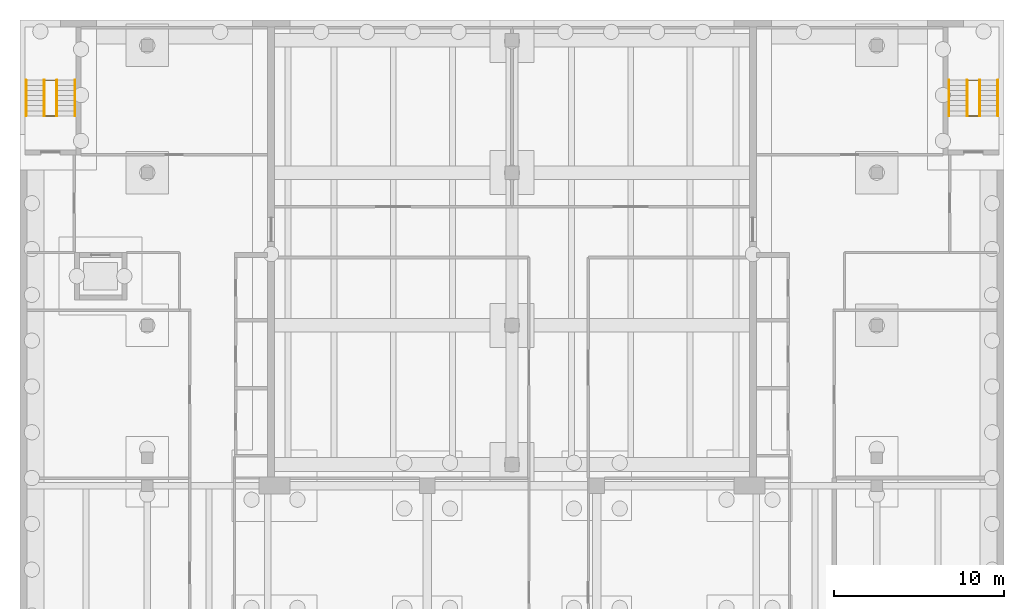
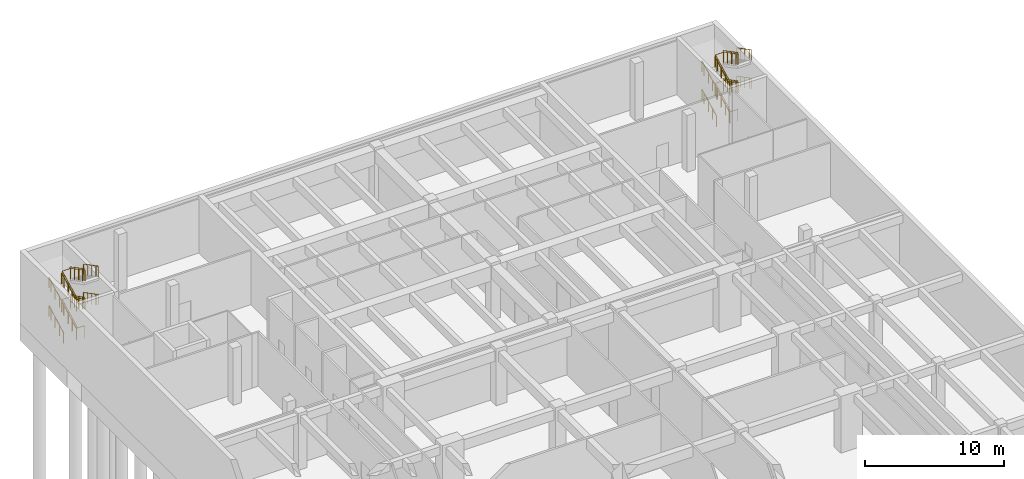
# One storey, part 18 of 19: 18 railings.
"""IFC4 building model written with IfcOpenShell, lengths in metres."""

from ifc_helpers import new_model, si_unit, direction, frame, origin, origin_2d, place, context, subcontext, project, spatial, circle, extrude, material, type_object, element, save


model = new_model("IFC4")

# Units and contexts
model_context = context("Model", 3, precision=1e-05, world=origin(), true_north=direction((0.0, 1.0)))
body_context = subcontext(model_context, "Body", "Model", "MODEL_VIEW")
ifc_project = project(units=[si_unit("LENGTHUNIT", "METRE"), si_unit("AREAUNIT", "SQUARE_METRE"), si_unit("VOLUMEUNIT", "CUBIC_METRE"), si_unit("PLANEANGLEUNIT", "RADIAN"), si_unit("MASSUNIT", "GRAM", prefix="KILO")], contexts=[model_context])

# Site, building, storey
site_placement = place(None, origin())
site = spatial("IfcSite", under=ifc_project, at=site_placement, CompositionType="ELEMENT")
building_placement = place(site_placement, origin())
building = spatial("IfcBuilding", under=site, at=building_placement, Name="Elmora Arch Market Hall", CompositionType="ELEMENT")
storey_placement = place(building_placement, frame((0.0, 0.0, -10.0)))
storey = spatial("IfcBuildingStorey", under=building, at=storey_placement, Name="B1", CompositionType="ELEMENT", Elevation=-10.0)

# Railings
ifc_material_1 = material(Name="Steel ASTM A500 Gr C", Category="steel")
railing_type_1 = type_object("IfcRailingType", Name="Stair guard 1100", PredefinedType="GUARDRAIL", material=ifc_material_1)
railing_1_placement = place(storey_placement, frame((2.1201171875, 120.35009765625, 0.0)))
element("IfcRailing", 1, at=railing_1_placement, inside=storey, type_object=railing_type_1, Name="Stair ST-W guard B1", PredefinedType="GUARDRAIL", context=body_context, shape_type="SweptSolid", body=[
    extrude(circle(Radius=0.02392578125, at=origin_2d()), frame((0.0, 0.0, 1.076171875), z_axis=(-1.0, 0.0, 0.0), x_axis=(0.0, -1.0, 0.0)), (0.0, 0.0, 1.0), 0.64013671875),
    extrude(circle(Radius=0.02392578125, at=origin_2d()), frame((-0.64013671875, 0.0, 1.076171875), z_axis=(0.0, 0.0, 1.0), x_axis=(1.0, 0.0, 0.0)), (0.0, 0.0, 1.0), 0.15625),
    extrude(circle(Radius=0.02392578125, at=origin_2d()), frame((-0.64013671875, 0.0, 1.232421875), z_axis=(0.0, 0.886867866569, 0.462023145791), x_axis=(-1.0, 0.0, 0.0)), (0.0, 0.0, 1.0), 0.67626953125),
    extrude(circle(Radius=0.02392578125, at=origin_2d()), frame((-0.64013671875, 0.599853515625, 1.544921875), z_axis=(0.0, 0.886944881109, 0.461875283897), x_axis=(-1.0, 0.0, 0.0)), (0.0, 0.0, 1.0), 0.676513671875),
    extrude(circle(Radius=0.02392578125, at=origin_2d()), frame((-0.64013671875, 1.199951171875, 1.857421875), z_axis=(0.0, 0.886867866569, 0.462023145791), x_axis=(-1.0, 0.0, 0.0)), (0.0, 0.0, 1.0), 0.67626953125),
    extrude(circle(Radius=0.02392578125, at=origin_2d()), frame((-0.64013671875, 1.7998046875, 2.169921875), z_axis=(0.0, 0.886944881109, 0.461875283897), x_axis=(-1.0, 0.0, 0.0)), (0.0, 0.0, 1.0), 0.33837890625),
    extrude(circle(Radius=0.02392578125, at=origin_2d()), frame((-0.64013671875, 2.099853515625, 2.326171875), z_axis=(1.0, 0.0, 0.0), x_axis=(0.0, 1.0, 0.0)), (0.0, 0.0, 1.0), 0.64013671875),
    extrude(circle(Radius=0.02392578125, at=origin_2d()), frame((0.0, 2.099853515625, 2.326171875), z_axis=(0.0, 0.0, 1.0), x_axis=(1.0, 0.0, 0.0)), (0.0, 0.0, 1.0), 0.15625),
    extrude(circle(Radius=0.02392578125, at=origin_2d()), frame((0.0, 2.099853515625, 2.482421875), z_axis=(0.0, -0.886867866569, 0.462023145791), x_axis=(1.0, 0.0, 0.0)), (0.0, 0.0, 1.0), 0.67626953125),
    extrude(circle(Radius=0.02392578125, at=origin_2d()), frame((0.0, 1.5, 2.794921875), z_axis=(0.0, -0.886944881109, 0.461875283897), x_axis=(1.0, 0.0, 0.0)), (0.0, 0.0, 1.0), 0.676513671875),
    extrude(circle(Radius=0.02392578125, at=origin_2d()), frame((0.0, 0.89990234375, 3.107421875), z_axis=(0.0, -0.886944881109, 0.461875283897), x_axis=(1.0, 0.0, 0.0)), (0.0, 0.0, 1.0), 0.676513671875),
    extrude(circle(Radius=0.02392578125, at=origin_2d()), frame((0.0, 0.2998046875, 3.419921875), z_axis=(0.0, -0.886790778033, 0.462171089529), x_axis=(1.0, 0.0, 0.0)), (0.0, 0.0, 1.0), 0.338134765625),
    extrude(circle(Radius=0.02392578125, at=origin_2d()), frame((0.0, 0.0, 3.576171875), z_axis=(-1.0, 0.0, 0.0), x_axis=(0.0, -1.0, 0.0)), (0.0, 0.0, 1.0), 0.64013671875),
    extrude(circle(Radius=0.02392578125, at=origin_2d()), frame((-0.64013671875, 0.0, 3.576171875), z_axis=(0.0, 0.0, 1.0), x_axis=(1.0, 0.0, 0.0)), (0.0, 0.0, 1.0), 0.15625),
    extrude(circle(Radius=0.02392578125, at=origin_2d()), frame((-0.64013671875, 0.0, 3.732421875), z_axis=(0.0, 0.886867866569, 0.462023145791), x_axis=(-1.0, 0.0, 0.0)), (0.0, 0.0, 1.0), 0.67626953125),
    extrude(circle(Radius=0.02392578125, at=origin_2d()), frame((-0.64013671875, 0.599853515625, 4.044921875), z_axis=(0.0, 0.886944881109, 0.461875283897), x_axis=(-1.0, 0.0, 0.0)), (0.0, 0.0, 1.0), 0.676513671875),
    extrude(circle(Radius=0.02392578125, at=origin_2d()), frame((-0.64013671875, 1.199951171875, 4.357421875), z_axis=(0.0, 0.886867866569, 0.462023145791), x_axis=(-1.0, 0.0, 0.0)), (0.0, 0.0, 1.0), 0.67626953125),
    extrude(circle(Radius=0.02392578125, at=origin_2d()), frame((-0.64013671875, 1.7998046875, 4.669921875), z_axis=(0.0, 0.886944881109, 0.461875283897), x_axis=(-1.0, 0.0, 0.0)), (0.0, 0.0, 1.0), 0.33837890625),
    extrude(circle(Radius=0.02392578125, at=origin_2d()), frame((-0.64013671875, 2.099853515625, 4.826171875), z_axis=(1.0, 0.0, 0.0), x_axis=(0.0, 1.0, 0.0)), (0.0, 0.0, 1.0), 0.64013671875),
    extrude(circle(Radius=0.02392578125, at=origin_2d()), frame((0.0, 2.099853515625, 4.826171875), z_axis=(0.0, 0.0, 1.0), x_axis=(1.0, 0.0, 0.0)), (0.0, 0.0, 1.0), 0.15625),
    extrude(circle(Radius=0.02392578125, at=origin_2d()), frame((0.0, 2.099853515625, 4.982421875), z_axis=(0.0, -0.886867866569, 0.462023145791), x_axis=(1.0, 0.0, 0.0)), (0.0, 0.0, 1.0), 0.67626953125),
    extrude(circle(Radius=0.02392578125, at=origin_2d()), frame((0.0, 1.5, 5.294921875), z_axis=(0.0, -0.886944881109, 0.461875283897), x_axis=(1.0, 0.0, 0.0)), (0.0, 0.0, 1.0), 0.676513671875),
    extrude(circle(Radius=0.02392578125, at=origin_2d()), frame((0.0, 0.89990234375, 5.607421875), z_axis=(0.0, -0.886944881109, 0.461875283897), x_axis=(1.0, 0.0, 0.0)), (0.0, 0.0, 1.0), 0.676513671875),
    extrude(circle(Radius=0.02392578125, at=origin_2d()), frame((0.0, 0.2998046875, 5.919921875), z_axis=(0.0, -0.886790778033, 0.462171089529), x_axis=(1.0, 0.0, 0.0)), (0.0, 0.0, 1.0), 0.338134765625),
    extrude(circle(Radius=0.02099609375, at=origin_2d()), origin(), (0.0, 0.0, 1.0), 1.052001953125),
    extrude(circle(Radius=0.02099609375, at=origin_2d()), frame((-0.64013671875, 0.0, 0.0)), (0.0, 0.0, 1.0), 1.052001953125),
    extrude(circle(Radius=0.02099609375, at=origin_2d()), frame((-0.64013671875, 0.0, 0.15625)), (0.0, 0.0, 1.0), 1.052001953125),
    extrude(circle(Radius=0.02099609375, at=origin_2d()), frame((-0.64013671875, 0.599853515625, 0.46875)), (0.0, 0.0, 1.0), 1.052001953125),
    extrude(circle(Radius=0.02099609375, at=origin_2d()), frame((-0.64013671875, 1.199951171875, 0.78125)), (0.0, 0.0, 1.0), 1.052001953125),
    extrude(circle(Radius=0.02099609375, at=origin_2d()), frame((-0.64013671875, 1.7998046875, 1.09375)), (0.0, 0.0, 1.0), 1.052001953125),
    extrude(circle(Radius=0.02099609375, at=origin_2d()), frame((-0.64013671875, 2.099853515625, 1.25)), (0.0, 0.0, 1.0), 1.052001953125),
    extrude(circle(Radius=0.02099609375, at=origin_2d()), frame((0.0, 2.099853515625, 1.25)), (0.0, 0.0, 1.0), 1.052001953125),
    extrude(circle(Radius=0.02099609375, at=origin_2d()), frame((0.0, 2.099853515625, 1.40625)), (0.0, 0.0, 1.0), 1.052001953125),
    extrude(circle(Radius=0.02099609375, at=origin_2d()), frame((0.0, 1.5, 1.71875)), (0.0, 0.0, 1.0), 1.052001953125),
    extrude(circle(Radius=0.02099609375, at=origin_2d()), frame((0.0, 0.89990234375, 2.03125)), (0.0, 0.0, 1.0), 1.052001953125),
    extrude(circle(Radius=0.02099609375, at=origin_2d()), frame((0.0, 0.2998046875, 2.34375)), (0.0, 0.0, 1.0), 1.052001953125),
    extrude(circle(Radius=0.02099609375, at=origin_2d()), frame((0.0, 0.0, 2.5)), (0.0, 0.0, 1.0), 1.052001953125),
    extrude(circle(Radius=0.02099609375, at=origin_2d()), frame((-0.64013671875, 0.0, 2.5)), (0.0, 0.0, 1.0), 1.052001953125),
    extrude(circle(Radius=0.02099609375, at=origin_2d()), frame((-0.64013671875, 0.0, 2.65625)), (0.0, 0.0, 1.0), 1.052001953125),
    extrude(circle(Radius=0.02099609375, at=origin_2d()), frame((-0.64013671875, 0.599853515625, 2.96875)), (0.0, 0.0, 1.0), 1.052001953125),
    extrude(circle(Radius=0.02099609375, at=origin_2d()), frame((-0.64013671875, 1.199951171875, 3.28125)), (0.0, 0.0, 1.0), 1.052001953125),
    extrude(circle(Radius=0.02099609375, at=origin_2d()), frame((-0.64013671875, 1.7998046875, 3.59375)), (0.0, 0.0, 1.0), 1.052001953125),
    extrude(circle(Radius=0.02099609375, at=origin_2d()), frame((-0.64013671875, 2.099853515625, 3.75)), (0.0, 0.0, 1.0), 1.052001953125),
    extrude(circle(Radius=0.02099609375, at=origin_2d()), frame((0.0, 2.099853515625, 3.75)), (0.0, 0.0, 1.0), 1.052001953125),
    extrude(circle(Radius=0.02099609375, at=origin_2d()), frame((0.0, 2.099853515625, 3.90625)), (0.0, 0.0, 1.0), 1.052001953125),
    extrude(circle(Radius=0.02099609375, at=origin_2d()), frame((0.0, 1.5, 4.21875)), (0.0, 0.0, 1.0), 1.052001953125),
    extrude(circle(Radius=0.02099609375, at=origin_2d()), frame((0.0, 0.89990234375, 4.53125)), (0.0, 0.0, 1.0), 1.052001953125),
    extrude(circle(Radius=0.02099609375, at=origin_2d()), frame((0.0, 0.2998046875, 4.84375)), (0.0, 0.0, 1.0), 1.052001953125),
    extrude(circle(Radius=0.02099609375, at=origin_2d()), frame((0.0, 0.0, 5.0)), (0.0, 0.0, 1.0), 1.052001953125),
])
railing_2_placement = place(storey_placement, frame((56.52001953125, 120.35009765625, 0.0)))
element("IfcRailing", 2, at=railing_2_placement, inside=storey, type_object=railing_type_1, Name="Stair ST-E guard B1", PredefinedType="GUARDRAIL", context=body_context, shape_type="SweptSolid", body=[
    extrude(circle(Radius=0.02392578125, at=origin_2d()), frame((0.0, 0.0, 1.076171875), z_axis=(-1.0, 0.0, 0.0), x_axis=(0.0, -1.0, 0.0)), (0.0, 0.0, 1.0), 0.64013671875),
    extrude(circle(Radius=0.02392578125, at=origin_2d()), frame((-0.64013671875, 0.0, 1.076171875), z_axis=(0.0, 0.0, 1.0), x_axis=(1.0, 0.0, 0.0)), (0.0, 0.0, 1.0), 0.15625),
    extrude(circle(Radius=0.02392578125, at=origin_2d()), frame((-0.64013671875, 0.0, 1.232421875), z_axis=(0.0, 0.886867866569, 0.462023145791), x_axis=(-1.0, 0.0, 0.0)), (0.0, 0.0, 1.0), 0.67626953125),
    extrude(circle(Radius=0.02392578125, at=origin_2d()), frame((-0.64013671875, 0.599853515625, 1.544921875), z_axis=(0.0, 0.886944881109, 0.461875283897), x_axis=(-1.0, 0.0, 0.0)), (0.0, 0.0, 1.0), 0.676513671875),
    extrude(circle(Radius=0.02392578125, at=origin_2d()), frame((-0.64013671875, 1.199951171875, 1.857421875), z_axis=(0.0, 0.886867866569, 0.462023145791), x_axis=(-1.0, 0.0, 0.0)), (0.0, 0.0, 1.0), 0.67626953125),
    extrude(circle(Radius=0.02392578125, at=origin_2d()), frame((-0.64013671875, 1.7998046875, 2.169921875), z_axis=(0.0, 0.886944881109, 0.461875283897), x_axis=(-1.0, 0.0, 0.0)), (0.0, 0.0, 1.0), 0.33837890625),
    extrude(circle(Radius=0.02392578125, at=origin_2d()), frame((-0.64013671875, 2.099853515625, 2.326171875), z_axis=(1.0, 0.0, 0.0), x_axis=(0.0, 1.0, 0.0)), (0.0, 0.0, 1.0), 0.64013671875),
    extrude(circle(Radius=0.02392578125, at=origin_2d()), frame((0.0, 2.099853515625, 2.326171875), z_axis=(0.0, 0.0, 1.0), x_axis=(1.0, 0.0, 0.0)), (0.0, 0.0, 1.0), 0.15625),
    extrude(circle(Radius=0.02392578125, at=origin_2d()), frame((0.0, 2.099853515625, 2.482421875), z_axis=(0.0, -0.886867866569, 0.462023145791), x_axis=(1.0, 0.0, 0.0)), (0.0, 0.0, 1.0), 0.67626953125),
    extrude(circle(Radius=0.02392578125, at=origin_2d()), frame((0.0, 1.5, 2.794921875), z_axis=(0.0, -0.886944881109, 0.461875283897), x_axis=(1.0, 0.0, 0.0)), (0.0, 0.0, 1.0), 0.676513671875),
    extrude(circle(Radius=0.02392578125, at=origin_2d()), frame((0.0, 0.89990234375, 3.107421875), z_axis=(0.0, -0.886944881109, 0.461875283897), x_axis=(1.0, 0.0, 0.0)), (0.0, 0.0, 1.0), 0.676513671875),
    extrude(circle(Radius=0.02392578125, at=origin_2d()), frame((0.0, 0.2998046875, 3.419921875), z_axis=(0.0, -0.886790778033, 0.462171089529), x_axis=(1.0, 0.0, 0.0)), (0.0, 0.0, 1.0), 0.338134765625),
    extrude(circle(Radius=0.02392578125, at=origin_2d()), frame((0.0, 0.0, 3.576171875), z_axis=(-1.0, 0.0, 0.0), x_axis=(0.0, -1.0, 0.0)), (0.0, 0.0, 1.0), 0.64013671875),
    extrude(circle(Radius=0.02392578125, at=origin_2d()), frame((-0.64013671875, 0.0, 3.576171875), z_axis=(0.0, 0.0, 1.0), x_axis=(1.0, 0.0, 0.0)), (0.0, 0.0, 1.0), 0.15625),
    extrude(circle(Radius=0.02392578125, at=origin_2d()), frame((-0.64013671875, 0.0, 3.732421875), z_axis=(0.0, 0.886867866569, 0.462023145791), x_axis=(-1.0, 0.0, 0.0)), (0.0, 0.0, 1.0), 0.67626953125),
    extrude(circle(Radius=0.02392578125, at=origin_2d()), frame((-0.64013671875, 0.599853515625, 4.044921875), z_axis=(0.0, 0.886944881109, 0.461875283897), x_axis=(-1.0, 0.0, 0.0)), (0.0, 0.0, 1.0), 0.676513671875),
    extrude(circle(Radius=0.02392578125, at=origin_2d()), frame((-0.64013671875, 1.199951171875, 4.357421875), z_axis=(0.0, 0.886867866569, 0.462023145791), x_axis=(-1.0, 0.0, 0.0)), (0.0, 0.0, 1.0), 0.67626953125),
    extrude(circle(Radius=0.02392578125, at=origin_2d()), frame((-0.64013671875, 1.7998046875, 4.669921875), z_axis=(0.0, 0.886944881109, 0.461875283897), x_axis=(-1.0, 0.0, 0.0)), (0.0, 0.0, 1.0), 0.33837890625),
    extrude(circle(Radius=0.02392578125, at=origin_2d()), frame((-0.64013671875, 2.099853515625, 4.826171875), z_axis=(1.0, 0.0, 0.0), x_axis=(0.0, 1.0, 0.0)), (0.0, 0.0, 1.0), 0.64013671875),
    extrude(circle(Radius=0.02392578125, at=origin_2d()), frame((0.0, 2.099853515625, 4.826171875), z_axis=(0.0, 0.0, 1.0), x_axis=(1.0, 0.0, 0.0)), (0.0, 0.0, 1.0), 0.15625),
    extrude(circle(Radius=0.02392578125, at=origin_2d()), frame((0.0, 2.099853515625, 4.982421875), z_axis=(0.0, -0.886867866569, 0.462023145791), x_axis=(1.0, 0.0, 0.0)), (0.0, 0.0, 1.0), 0.67626953125),
    extrude(circle(Radius=0.02392578125, at=origin_2d()), frame((0.0, 1.5, 5.294921875), z_axis=(0.0, -0.886944881109, 0.461875283897), x_axis=(1.0, 0.0, 0.0)), (0.0, 0.0, 1.0), 0.676513671875),
    extrude(circle(Radius=0.02392578125, at=origin_2d()), frame((0.0, 0.89990234375, 5.607421875), z_axis=(0.0, -0.886944881109, 0.461875283897), x_axis=(1.0, 0.0, 0.0)), (0.0, 0.0, 1.0), 0.676513671875),
    extrude(circle(Radius=0.02392578125, at=origin_2d()), frame((0.0, 0.2998046875, 5.919921875), z_axis=(0.0, -0.886790778033, 0.462171089529), x_axis=(1.0, 0.0, 0.0)), (0.0, 0.0, 1.0), 0.338134765625),
    extrude(circle(Radius=0.02099609375, at=origin_2d()), origin(), (0.0, 0.0, 1.0), 1.052001953125),
    extrude(circle(Radius=0.02099609375, at=origin_2d()), frame((-0.64013671875, 0.0, 0.0)), (0.0, 0.0, 1.0), 1.052001953125),
    extrude(circle(Radius=0.02099609375, at=origin_2d()), frame((-0.64013671875, 0.0, 0.15625)), (0.0, 0.0, 1.0), 1.052001953125),
    extrude(circle(Radius=0.02099609375, at=origin_2d()), frame((-0.64013671875, 0.599853515625, 0.46875)), (0.0, 0.0, 1.0), 1.052001953125),
    extrude(circle(Radius=0.02099609375, at=origin_2d()), frame((-0.64013671875, 1.199951171875, 0.78125)), (0.0, 0.0, 1.0), 1.052001953125),
    extrude(circle(Radius=0.02099609375, at=origin_2d()), frame((-0.64013671875, 1.7998046875, 1.09375)), (0.0, 0.0, 1.0), 1.052001953125),
    extrude(circle(Radius=0.02099609375, at=origin_2d()), frame((-0.64013671875, 2.099853515625, 1.25)), (0.0, 0.0, 1.0), 1.052001953125),
    extrude(circle(Radius=0.02099609375, at=origin_2d()), frame((0.0, 2.099853515625, 1.25)), (0.0, 0.0, 1.0), 1.052001953125),
    extrude(circle(Radius=0.02099609375, at=origin_2d()), frame((0.0, 2.099853515625, 1.40625)), (0.0, 0.0, 1.0), 1.052001953125),
    extrude(circle(Radius=0.02099609375, at=origin_2d()), frame((0.0, 1.5, 1.71875)), (0.0, 0.0, 1.0), 1.052001953125),
    extrude(circle(Radius=0.02099609375, at=origin_2d()), frame((0.0, 0.89990234375, 2.03125)), (0.0, 0.0, 1.0), 1.052001953125),
    extrude(circle(Radius=0.02099609375, at=origin_2d()), frame((0.0, 0.2998046875, 2.34375)), (0.0, 0.0, 1.0), 1.052001953125),
    extrude(circle(Radius=0.02099609375, at=origin_2d()), frame((0.0, 0.0, 2.5)), (0.0, 0.0, 1.0), 1.052001953125),
    extrude(circle(Radius=0.02099609375, at=origin_2d()), frame((-0.64013671875, 0.0, 2.5)), (0.0, 0.0, 1.0), 1.052001953125),
    extrude(circle(Radius=0.02099609375, at=origin_2d()), frame((-0.64013671875, 0.0, 2.65625)), (0.0, 0.0, 1.0), 1.052001953125),
    extrude(circle(Radius=0.02099609375, at=origin_2d()), frame((-0.64013671875, 0.599853515625, 2.96875)), (0.0, 0.0, 1.0), 1.052001953125),
    extrude(circle(Radius=0.02099609375, at=origin_2d()), frame((-0.64013671875, 1.199951171875, 3.28125)), (0.0, 0.0, 1.0), 1.052001953125),
    extrude(circle(Radius=0.02099609375, at=origin_2d()), frame((-0.64013671875, 1.7998046875, 3.59375)), (0.0, 0.0, 1.0), 1.052001953125),
    extrude(circle(Radius=0.02099609375, at=origin_2d()), frame((-0.64013671875, 2.099853515625, 3.75)), (0.0, 0.0, 1.0), 1.052001953125),
    extrude(circle(Radius=0.02099609375, at=origin_2d()), frame((0.0, 2.099853515625, 3.75)), (0.0, 0.0, 1.0), 1.052001953125),
    extrude(circle(Radius=0.02099609375, at=origin_2d()), frame((0.0, 2.099853515625, 3.90625)), (0.0, 0.0, 1.0), 1.052001953125),
    extrude(circle(Radius=0.02099609375, at=origin_2d()), frame((0.0, 1.5, 4.21875)), (0.0, 0.0, 1.0), 1.052001953125),
    extrude(circle(Radius=0.02099609375, at=origin_2d()), frame((0.0, 0.89990234375, 4.53125)), (0.0, 0.0, 1.0), 1.052001953125),
    extrude(circle(Radius=0.02099609375, at=origin_2d()), frame((0.0, 0.2998046875, 4.84375)), (0.0, 0.0, 1.0), 1.052001953125),
    extrude(circle(Radius=0.02099609375, at=origin_2d()), frame((0.0, 0.0, 5.0)), (0.0, 0.0, 1.0), 1.052001953125),
])
ifc_material_2 = material(Name="Stainless steel ASTM A554 Grade 304", Category="steel")
railing_type_2 = type_object("IfcRailingType", Name="Stair handrail 950", PredefinedType="HANDRAIL", material=ifc_material_2)
for number, where, name in (
    (3, (0.360107421875, 120.35009765625, 0.15625), "Stair ST-W B1 flight 1 handrail"),
    (4, (1.429931640625, 120.35009765625, 0.15625), "Stair ST-W B1 flight 1 handrail"),
):
    element("IfcRailing", number, at=place(storey_placement, frame(where)), inside=storey, type_object=railing_type_2, Name=name, PredefinedType="HANDRAIL", context=body_context, shape_type="SweptSolid", body=[
        extrude(circle(Radius=0.02392578125, at=origin_2d()), frame((0.0, 0.0, 0.92578125), z_axis=(0.0, 0.886867866569, 0.462023145791), x_axis=(-1.0, 0.0, 0.0)), (0.0, 0.0, 1.0), 0.67626953125),
        extrude(circle(Radius=0.02392578125, at=origin_2d()), frame((0.0, 0.599853515625, 1.23828125), z_axis=(0.0, 0.886944881109, 0.461875283897), x_axis=(-1.0, 0.0, 0.0)), (0.0, 0.0, 1.0), 0.676513671875),
        extrude(circle(Radius=0.02392578125, at=origin_2d()), frame((0.0, 1.199951171875, 1.55078125), z_axis=(0.0, 0.886867866569, 0.462023145791), x_axis=(-1.0, 0.0, 0.0)), (0.0, 0.0, 1.0), 0.67626953125),
        extrude(circle(Radius=0.02392578125, at=origin_2d()), frame((0.0, 1.7998046875, 1.86328125), z_axis=(0.0, 0.886944881109, 0.461875283897), x_axis=(-1.0, 0.0, 0.0)), (0.0, 0.0, 1.0), 0.33837890625),
        extrude(circle(Radius=0.02099609375, at=origin_2d()), origin(), (0.0, 0.0, 1.0), 0.90185546875),
        extrude(circle(Radius=0.02099609375, at=origin_2d()), frame((0.0, 0.599853515625, 0.3125)), (0.0, 0.0, 1.0), 0.90185546875),
        extrude(circle(Radius=0.02099609375, at=origin_2d()), frame((0.0, 1.199951171875, 0.625)), (0.0, 0.0, 1.0), 0.90185546875),
        extrude(circle(Radius=0.02099609375, at=origin_2d()), frame((0.0, 1.7998046875, 0.9375)), (0.0, 0.0, 1.0), 0.90185546875),
        extrude(circle(Radius=0.02099609375, at=origin_2d()), frame((0.0, 2.099853515625, 1.09375)), (0.0, 0.0, 1.0), 0.90185546875),
    ])
for number, where, name in (
    (5, (3.239990234375, 122.449951171875, 1.40625), "Stair ST-W B1 flight 2 handrail"),
    (6, (2.169921875, 122.449951171875, 1.40625), "Stair ST-W B1 flight 2 handrail"),
):
    element("IfcRailing", number, at=place(storey_placement, frame(where)), inside=storey, type_object=railing_type_2, Name=name, PredefinedType="HANDRAIL", context=body_context, shape_type="SweptSolid", body=[
        extrude(circle(Radius=0.02392578125, at=origin_2d()), frame((0.0, 0.0, 0.92578125), z_axis=(0.0, -0.886867866569, 0.462023145791), x_axis=(1.0, 0.0, 0.0)), (0.0, 0.0, 1.0), 0.67626953125),
        extrude(circle(Radius=0.02392578125, at=origin_2d()), frame((0.0, -0.599853515625, 1.23828125), z_axis=(0.0, -0.886944881109, 0.461875283897), x_axis=(1.0, 0.0, 0.0)), (0.0, 0.0, 1.0), 0.676513671875),
        extrude(circle(Radius=0.02392578125, at=origin_2d()), frame((0.0, -1.199951171875, 1.55078125), z_axis=(0.0, -0.886944881109, 0.461875283897), x_axis=(1.0, 0.0, 0.0)), (0.0, 0.0, 1.0), 0.676513671875),
        extrude(circle(Radius=0.02392578125, at=origin_2d()), frame((0.0, -1.800048828125, 1.86328125), z_axis=(0.0, -0.886790778033, 0.462171089529), x_axis=(1.0, 0.0, 0.0)), (0.0, 0.0, 1.0), 0.338134765625),
        extrude(circle(Radius=0.02099609375, at=origin_2d()), origin(), (0.0, 0.0, 1.0), 0.90185546875),
        extrude(circle(Radius=0.02099609375, at=origin_2d()), frame((0.0, -0.599853515625, 0.3125)), (0.0, 0.0, 1.0), 0.90185546875),
        extrude(circle(Radius=0.02099609375, at=origin_2d()), frame((0.0, -1.199951171875, 0.625)), (0.0, 0.0, 1.0), 0.90185546875),
        extrude(circle(Radius=0.02099609375, at=origin_2d()), frame((0.0, -1.800048828125, 0.9375)), (0.0, 0.0, 1.0), 0.90185546875),
        extrude(circle(Radius=0.02099609375, at=origin_2d()), frame((0.0, -2.099853515625, 1.09375)), (0.0, 0.0, 1.0), 0.90185546875),
    ])
for number, where, name in (
    (7, (0.360107421875, 120.35009765625, 2.65625), "Stair ST-W B1 flight 3 handrail"),
    (8, (1.429931640625, 120.35009765625, 2.65625), "Stair ST-W B1 flight 3 handrail"),
):
    element("IfcRailing", number, at=place(storey_placement, frame(where)), inside=storey, type_object=railing_type_2, Name=name, PredefinedType="HANDRAIL", context=body_context, shape_type="SweptSolid", body=[
        extrude(circle(Radius=0.02392578125, at=origin_2d()), frame((0.0, 0.0, 0.92578125), z_axis=(0.0, 0.886867866569, 0.462023145791), x_axis=(-1.0, 0.0, 0.0)), (0.0, 0.0, 1.0), 0.67626953125),
        extrude(circle(Radius=0.02392578125, at=origin_2d()), frame((0.0, 0.599853515625, 1.23828125), z_axis=(0.0, 0.886944881109, 0.461875283897), x_axis=(-1.0, 0.0, 0.0)), (0.0, 0.0, 1.0), 0.676513671875),
        extrude(circle(Radius=0.02392578125, at=origin_2d()), frame((0.0, 1.199951171875, 1.55078125), z_axis=(0.0, 0.886867866569, 0.462023145791), x_axis=(-1.0, 0.0, 0.0)), (0.0, 0.0, 1.0), 0.67626953125),
        extrude(circle(Radius=0.02392578125, at=origin_2d()), frame((0.0, 1.7998046875, 1.86328125), z_axis=(0.0, 0.886944881109, 0.461875283897), x_axis=(-1.0, 0.0, 0.0)), (0.0, 0.0, 1.0), 0.33837890625),
        extrude(circle(Radius=0.02099609375, at=origin_2d()), origin(), (0.0, 0.0, 1.0), 0.90185546875),
        extrude(circle(Radius=0.02099609375, at=origin_2d()), frame((0.0, 0.599853515625, 0.3125)), (0.0, 0.0, 1.0), 0.90185546875),
        extrude(circle(Radius=0.02099609375, at=origin_2d()), frame((0.0, 1.199951171875, 0.625)), (0.0, 0.0, 1.0), 0.90185546875),
        extrude(circle(Radius=0.02099609375, at=origin_2d()), frame((0.0, 1.7998046875, 0.9375)), (0.0, 0.0, 1.0), 0.90185546875),
        extrude(circle(Radius=0.02099609375, at=origin_2d()), frame((0.0, 2.099853515625, 1.09375)), (0.0, 0.0, 1.0), 0.90185546875),
    ])
for number, where, name in (
    (9, (3.239990234375, 122.449951171875, 3.90625), "Stair ST-W B1 flight 4 handrail"),
    (10, (2.169921875, 122.449951171875, 3.90625), "Stair ST-W B1 flight 4 handrail"),
):
    element("IfcRailing", number, at=place(storey_placement, frame(where)), inside=storey, type_object=railing_type_2, Name=name, PredefinedType="HANDRAIL", context=body_context, shape_type="SweptSolid", body=[
        extrude(circle(Radius=0.02392578125, at=origin_2d()), frame((0.0, 0.0, 0.92578125), z_axis=(0.0, -0.886867866569, 0.462023145791), x_axis=(1.0, 0.0, 0.0)), (0.0, 0.0, 1.0), 0.67626953125),
        extrude(circle(Radius=0.02392578125, at=origin_2d()), frame((0.0, -0.599853515625, 1.23828125), z_axis=(0.0, -0.886944881109, 0.461875283897), x_axis=(1.0, 0.0, 0.0)), (0.0, 0.0, 1.0), 0.676513671875),
        extrude(circle(Radius=0.02392578125, at=origin_2d()), frame((0.0, -1.199951171875, 1.55078125), z_axis=(0.0, -0.886944881109, 0.461875283897), x_axis=(1.0, 0.0, 0.0)), (0.0, 0.0, 1.0), 0.676513671875),
        extrude(circle(Radius=0.02392578125, at=origin_2d()), frame((0.0, -1.800048828125, 1.86328125), z_axis=(0.0, -0.886790778033, 0.462171089529), x_axis=(1.0, 0.0, 0.0)), (0.0, 0.0, 1.0), 0.338134765625),
        extrude(circle(Radius=0.02099609375, at=origin_2d()), origin(), (0.0, 0.0, 1.0), 0.90185546875),
        extrude(circle(Radius=0.02099609375, at=origin_2d()), frame((0.0, -0.599853515625, 0.3125)), (0.0, 0.0, 1.0), 0.90185546875),
        extrude(circle(Radius=0.02099609375, at=origin_2d()), frame((0.0, -1.199951171875, 0.625)), (0.0, 0.0, 1.0), 0.90185546875),
        extrude(circle(Radius=0.02099609375, at=origin_2d()), frame((0.0, -1.800048828125, 0.9375)), (0.0, 0.0, 1.0), 0.90185546875),
        extrude(circle(Radius=0.02099609375, at=origin_2d()), frame((0.0, -2.099853515625, 1.09375)), (0.0, 0.0, 1.0), 0.90185546875),
    ])
for number, where, name in (
    (11, (54.760009765625, 120.35009765625, 0.15625), "Stair ST-E B1 flight 1 handrail"),
    (12, (55.830078125, 120.35009765625, 0.15625), "Stair ST-E B1 flight 1 handrail"),
):
    element("IfcRailing", number, at=place(storey_placement, frame(where)), inside=storey, type_object=railing_type_2, Name=name, PredefinedType="HANDRAIL", context=body_context, shape_type="SweptSolid", body=[
        extrude(circle(Radius=0.02392578125, at=origin_2d()), frame((0.0, 0.0, 0.92578125), z_axis=(0.0, 0.886867866569, 0.462023145791), x_axis=(-1.0, 0.0, 0.0)), (0.0, 0.0, 1.0), 0.67626953125),
        extrude(circle(Radius=0.02392578125, at=origin_2d()), frame((0.0, 0.599853515625, 1.23828125), z_axis=(0.0, 0.886944881109, 0.461875283897), x_axis=(-1.0, 0.0, 0.0)), (0.0, 0.0, 1.0), 0.676513671875),
        extrude(circle(Radius=0.02392578125, at=origin_2d()), frame((0.0, 1.199951171875, 1.55078125), z_axis=(0.0, 0.886867866569, 0.462023145791), x_axis=(-1.0, 0.0, 0.0)), (0.0, 0.0, 1.0), 0.67626953125),
        extrude(circle(Radius=0.02392578125, at=origin_2d()), frame((0.0, 1.7998046875, 1.86328125), z_axis=(0.0, 0.886944881109, 0.461875283897), x_axis=(-1.0, 0.0, 0.0)), (0.0, 0.0, 1.0), 0.33837890625),
        extrude(circle(Radius=0.02099609375, at=origin_2d()), origin(), (0.0, 0.0, 1.0), 0.90185546875),
        extrude(circle(Radius=0.02099609375, at=origin_2d()), frame((0.0, 0.599853515625, 0.3125)), (0.0, 0.0, 1.0), 0.90185546875),
        extrude(circle(Radius=0.02099609375, at=origin_2d()), frame((0.0, 1.199951171875, 0.625)), (0.0, 0.0, 1.0), 0.90185546875),
        extrude(circle(Radius=0.02099609375, at=origin_2d()), frame((0.0, 1.7998046875, 0.9375)), (0.0, 0.0, 1.0), 0.90185546875),
        extrude(circle(Radius=0.02099609375, at=origin_2d()), frame((0.0, 2.099853515625, 1.09375)), (0.0, 0.0, 1.0), 0.90185546875),
    ])
for number, where, name in (
    (13, (57.639892578125, 122.449951171875, 1.40625), "Stair ST-E B1 flight 2 handrail"),
    (14, (56.570068359375, 122.449951171875, 1.40625), "Stair ST-E B1 flight 2 handrail"),
):
    element("IfcRailing", number, at=place(storey_placement, frame(where)), inside=storey, type_object=railing_type_2, Name=name, PredefinedType="HANDRAIL", context=body_context, shape_type="SweptSolid", body=[
        extrude(circle(Radius=0.02392578125, at=origin_2d()), frame((0.0, 0.0, 0.92578125), z_axis=(0.0, -0.886867866569, 0.462023145791), x_axis=(1.0, 0.0, 0.0)), (0.0, 0.0, 1.0), 0.67626953125),
        extrude(circle(Radius=0.02392578125, at=origin_2d()), frame((0.0, -0.599853515625, 1.23828125), z_axis=(0.0, -0.886944881109, 0.461875283897), x_axis=(1.0, 0.0, 0.0)), (0.0, 0.0, 1.0), 0.676513671875),
        extrude(circle(Radius=0.02392578125, at=origin_2d()), frame((0.0, -1.199951171875, 1.55078125), z_axis=(0.0, -0.886944881109, 0.461875283897), x_axis=(1.0, 0.0, 0.0)), (0.0, 0.0, 1.0), 0.676513671875),
        extrude(circle(Radius=0.02392578125, at=origin_2d()), frame((0.0, -1.800048828125, 1.86328125), z_axis=(0.0, -0.886790778033, 0.462171089529), x_axis=(1.0, 0.0, 0.0)), (0.0, 0.0, 1.0), 0.338134765625),
        extrude(circle(Radius=0.02099609375, at=origin_2d()), origin(), (0.0, 0.0, 1.0), 0.90185546875),
        extrude(circle(Radius=0.02099609375, at=origin_2d()), frame((0.0, -0.599853515625, 0.3125)), (0.0, 0.0, 1.0), 0.90185546875),
        extrude(circle(Radius=0.02099609375, at=origin_2d()), frame((0.0, -1.199951171875, 0.625)), (0.0, 0.0, 1.0), 0.90185546875),
        extrude(circle(Radius=0.02099609375, at=origin_2d()), frame((0.0, -1.800048828125, 0.9375)), (0.0, 0.0, 1.0), 0.90185546875),
        extrude(circle(Radius=0.02099609375, at=origin_2d()), frame((0.0, -2.099853515625, 1.09375)), (0.0, 0.0, 1.0), 0.90185546875),
    ])
for number, where, name in (
    (15, (54.760009765625, 120.35009765625, 2.65625), "Stair ST-E B1 flight 3 handrail"),
    (16, (55.830078125, 120.35009765625, 2.65625), "Stair ST-E B1 flight 3 handrail"),
):
    element("IfcRailing", number, at=place(storey_placement, frame(where)), inside=storey, type_object=railing_type_2, Name=name, PredefinedType="HANDRAIL", context=body_context, shape_type="SweptSolid", body=[
        extrude(circle(Radius=0.02392578125, at=origin_2d()), frame((0.0, 0.0, 0.92578125), z_axis=(0.0, 0.886867866569, 0.462023145791), x_axis=(-1.0, 0.0, 0.0)), (0.0, 0.0, 1.0), 0.67626953125),
        extrude(circle(Radius=0.02392578125, at=origin_2d()), frame((0.0, 0.599853515625, 1.23828125), z_axis=(0.0, 0.886944881109, 0.461875283897), x_axis=(-1.0, 0.0, 0.0)), (0.0, 0.0, 1.0), 0.676513671875),
        extrude(circle(Radius=0.02392578125, at=origin_2d()), frame((0.0, 1.199951171875, 1.55078125), z_axis=(0.0, 0.886867866569, 0.462023145791), x_axis=(-1.0, 0.0, 0.0)), (0.0, 0.0, 1.0), 0.67626953125),
        extrude(circle(Radius=0.02392578125, at=origin_2d()), frame((0.0, 1.7998046875, 1.86328125), z_axis=(0.0, 0.886944881109, 0.461875283897), x_axis=(-1.0, 0.0, 0.0)), (0.0, 0.0, 1.0), 0.33837890625),
        extrude(circle(Radius=0.02099609375, at=origin_2d()), origin(), (0.0, 0.0, 1.0), 0.90185546875),
        extrude(circle(Radius=0.02099609375, at=origin_2d()), frame((0.0, 0.599853515625, 0.3125)), (0.0, 0.0, 1.0), 0.90185546875),
        extrude(circle(Radius=0.02099609375, at=origin_2d()), frame((0.0, 1.199951171875, 0.625)), (0.0, 0.0, 1.0), 0.90185546875),
        extrude(circle(Radius=0.02099609375, at=origin_2d()), frame((0.0, 1.7998046875, 0.9375)), (0.0, 0.0, 1.0), 0.90185546875),
        extrude(circle(Radius=0.02099609375, at=origin_2d()), frame((0.0, 2.099853515625, 1.09375)), (0.0, 0.0, 1.0), 0.90185546875),
    ])
for number, where, name in (
    (17, (57.639892578125, 122.449951171875, 3.90625), "Stair ST-E B1 flight 4 handrail"),
    (18, (56.570068359375, 122.449951171875, 3.90625), "Stair ST-E B1 flight 4 handrail"),
):
    element("IfcRailing", number, at=place(storey_placement, frame(where)), inside=storey, type_object=railing_type_2, Name=name, PredefinedType="HANDRAIL", context=body_context, shape_type="SweptSolid", body=[
        extrude(circle(Radius=0.02392578125, at=origin_2d()), frame((0.0, 0.0, 0.92578125), z_axis=(0.0, -0.886867866569, 0.462023145791), x_axis=(1.0, 0.0, 0.0)), (0.0, 0.0, 1.0), 0.67626953125),
        extrude(circle(Radius=0.02392578125, at=origin_2d()), frame((0.0, -0.599853515625, 1.23828125), z_axis=(0.0, -0.886944881109, 0.461875283897), x_axis=(1.0, 0.0, 0.0)), (0.0, 0.0, 1.0), 0.676513671875),
        extrude(circle(Radius=0.02392578125, at=origin_2d()), frame((0.0, -1.199951171875, 1.55078125), z_axis=(0.0, -0.886944881109, 0.461875283897), x_axis=(1.0, 0.0, 0.0)), (0.0, 0.0, 1.0), 0.676513671875),
        extrude(circle(Radius=0.02392578125, at=origin_2d()), frame((0.0, -1.800048828125, 1.86328125), z_axis=(0.0, -0.886790778033, 0.462171089529), x_axis=(1.0, 0.0, 0.0)), (0.0, 0.0, 1.0), 0.338134765625),
        extrude(circle(Radius=0.02099609375, at=origin_2d()), origin(), (0.0, 0.0, 1.0), 0.90185546875),
        extrude(circle(Radius=0.02099609375, at=origin_2d()), frame((0.0, -0.599853515625, 0.3125)), (0.0, 0.0, 1.0), 0.90185546875),
        extrude(circle(Radius=0.02099609375, at=origin_2d()), frame((0.0, -1.199951171875, 0.625)), (0.0, 0.0, 1.0), 0.90185546875),
        extrude(circle(Radius=0.02099609375, at=origin_2d()), frame((0.0, -1.800048828125, 0.9375)), (0.0, 0.0, 1.0), 0.90185546875),
        extrude(circle(Radius=0.02099609375, at=origin_2d()), frame((0.0, -2.099853515625, 1.09375)), (0.0, 0.0, 1.0), 0.90185546875),
    ])

save(model, "model.ifc")
